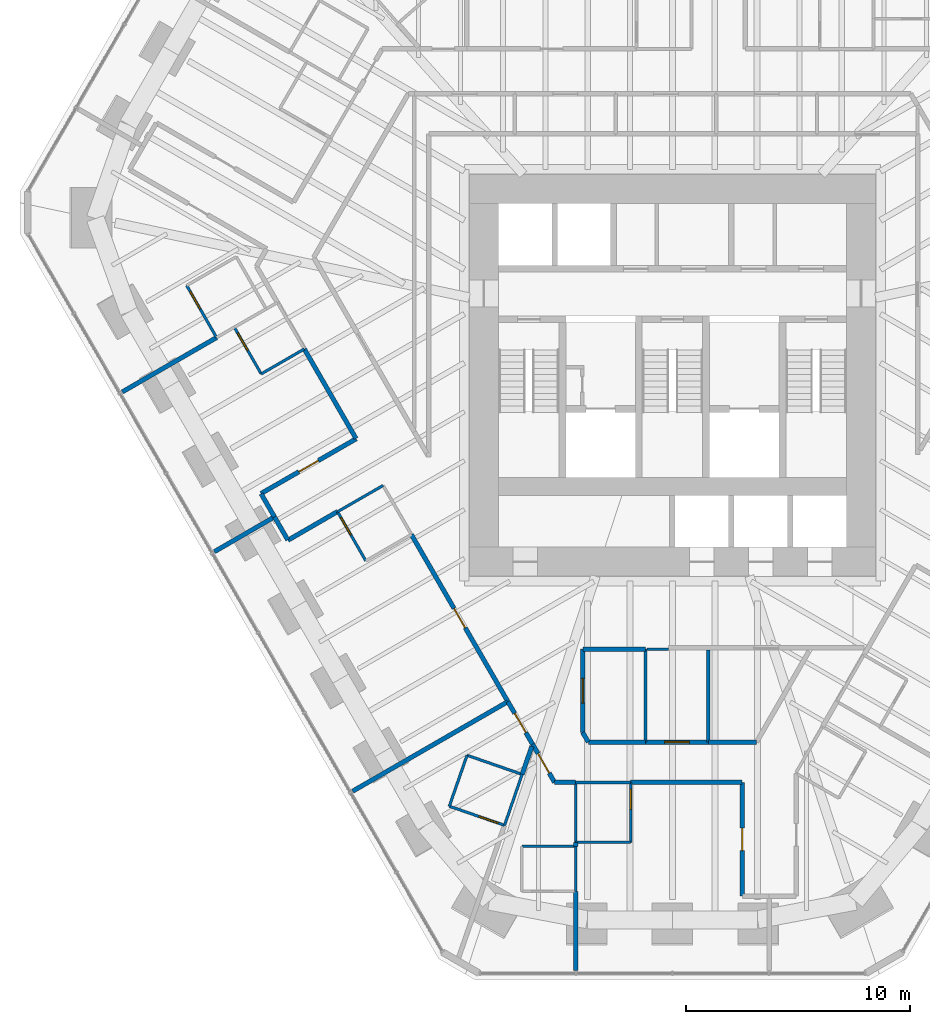
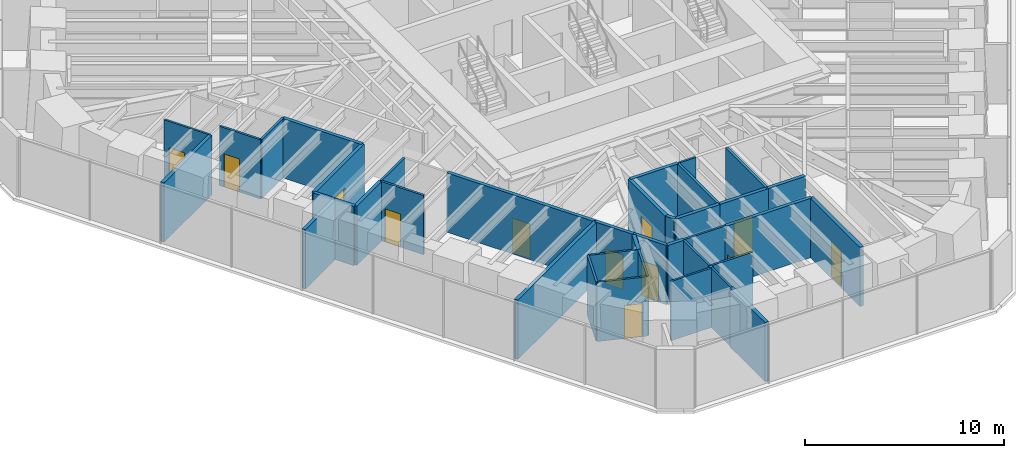
# One storey, part 11 of 17: 41 walls, 12 doors, 12 openings.
"""IFC4 building model written with IfcOpenShell, lengths in metres."""

import ifcopenshell
import ifcopenshell.guid

model = None  # the IFC model being written
_history = None  # IfcOwnerHistory: only IFC2X3 demands one
_inside = {}  # id of a spatial element -> (the spatial element, [elements in it])
_under = {}  # id of a project, library or spatial element -> (it, [spatial elements below it])
_declared = {}  # id of a project -> (the project, [libraries it declares])
_typed = {}  # id of a type object -> (the type object, [elements of that type])
_made_of = {}  # id of a material, layer set ... -> (it, [elements and type objects made of it])


def new_model(schema):
    """Start an empty IFC model of exactly this schema.

    Asked for "IFC4X3", IfcOpenShell would pick the latest addendum, in which some entities
    have other attributes; the version numbers below select the first issue.
    IFC2X3 requires an IfcOwnerHistory on every rooted entity: one is made here for all.
    """
    global model, _history
    if schema == "IFC4X3":
        model = ifcopenshell.file(schema_version=(4, 3, 0, 0))
    else:
        model = ifcopenshell.file(schema=schema)
    _inside.clear()
    _under.clear()
    _declared.clear()
    _typed.clear()
    _made_of.clear()
    _history = None
    if model.schema == "IFC2X3":
        org = make("IfcOrganization", Name="unknown")
        user = make(
            "IfcPersonAndOrganization",
            ThePerson=make("IfcPerson", FamilyName="unknown"),
            TheOrganization=org,
        )
        app = make(
            "IfcApplication",
            ApplicationDeveloper=org,
            Version="unknown",
            ApplicationFullName="unknown",
            ApplicationIdentifier="unknown",
        )
        _history = make(
            "IfcOwnerHistory",
            OwningUser=user,
            OwningApplication=app,
            ChangeAction="ADDED",
            CreationDate=0,
        )
    return model


def make(cls, **values):
    """One entity of the class cls with the attributes given. An attribute that is None is left unset."""
    return model.create_entity(
        cls, **{name: value for name, value in values.items() if value is not None}
    )


def rooted(cls, **values):
    """An entity with a GlobalId (a new one), such as an element, a storey or a relation."""
    return make(cls, GlobalId=ifcopenshell.guid.new(), OwnerHistory=_history, **values)


def si_unit(unit_type, name, prefix=None):
    """IfcSIUnit, for example si_unit("LENGTHUNIT", "METRE", prefix="MILLI")."""
    return make("IfcSIUnit", UnitType=unit_type, Prefix=prefix, Name=name)


def assignment(units):
    """IfcUnitAssignment: the units of a project."""
    return None if units is None else make("IfcUnitAssignment", Units=units)


def point(xyz):
    """IfcCartesianPoint."""
    return None if xyz is None else make("IfcCartesianPoint", Coordinates=xyz)


def direction(xyz):
    """IfcDirection."""
    return None if xyz is None else make("IfcDirection", DirectionRatios=xyz)


def frame(location, z_axis=None, x_axis=None):
    """IfcAxis2Placement3D, a coordinate frame: its origin and axes. An axis left out is left unset."""
    return make(
        "IfcAxis2Placement3D",
        Location=point(location),
        Axis=direction(z_axis),
        RefDirection=direction(x_axis),
    )


def frame_2d(location, x_axis=None):
    """IfcAxis2Placement2D, a coordinate frame in the plane: its origin and x axis."""
    return make(
        "IfcAxis2Placement2D", Location=point(location), RefDirection=direction(x_axis)
    )


def origin():
    """The frame at (0, 0, 0) with its axes left unset."""
    return frame((0.0, 0.0, 0.0))


def place(relative_to, where):
    """IfcLocalPlacement: puts the frame where relative to a parent placement (None: the world)."""
    return make(
        "IfcLocalPlacement", PlacementRelTo=relative_to, RelativePlacement=where
    )


def context(
    kind, dimensions, precision=None, world=None, true_north=None, identifier=None
):
    """IfcGeometricRepresentationContext, for example the 3D "Model" context."""
    return make(
        "IfcGeometricRepresentationContext",
        ContextIdentifier=identifier,
        ContextType=kind,
        CoordinateSpaceDimension=dimensions,
        Precision=precision,
        WorldCoordinateSystem=world,
        TrueNorth=true_north,
    )


def subcontext(parent, identifier, kind, view, scale=None):
    """IfcGeometricRepresentationSubContext, for example "Body" below "Model"."""
    return make(
        "IfcGeometricRepresentationSubContext",
        ContextIdentifier=identifier,
        ContextType=kind,
        ParentContext=parent,
        TargetScale=scale,
        TargetView=view,
    )


def project(units=None, contexts=None):
    """IfcProject with its units and contexts."""
    return rooted(
        "IfcProject",
        Name="project",
        RepresentationContexts=contexts,
        UnitsInContext=assignment(units),
    )


def spatial(cls, under=None, at=None, **own):
    """A site, building, storey or space (cls), placed at a placement, below another one or the project."""
    s = rooted(cls, ObjectPlacement=at, **own)
    if under is not None:
        _under.setdefault(under.id(), (under, []))[1].append(s)
    return s


def profile(cls, at=None, kind="AREA", **sizes):
    """A parametric profile (cls). Its sizes go by their IFC names, for example OverallWidth=200.0."""
    return make(cls, ProfileType=kind, Position=at, **sizes)


def rectangle(**sizes):
    """IfcRectangleProfileDef."""
    return profile("IfcRectangleProfileDef", **sizes)


def extrude(swept, where, along, depth):
    """IfcExtrudedAreaSolid: the profile swept, set in the frame where, extruded along a direction by depth."""
    return make(
        "IfcExtrudedAreaSolid",
        SweptArea=swept,
        Position=where,
        ExtrudedDirection=direction(along),
        Depth=depth,
    )


def shape(context_of_items, identifier, shape_type, items):
    """IfcShapeRepresentation: the items that make up one representation, for example the "Body"."""
    return make(
        "IfcShapeRepresentation",
        ContextOfItems=context_of_items,
        RepresentationIdentifier=identifier,
        RepresentationType=shape_type,
        Items=items,
    )


def material(Name=None, Category=None):
    """IfcMaterial."""
    return make("IfcMaterial", Name=Name, Category=Category)


def layer(
    of_material, thickness, ventilated=None, Name=None, Category=None, Priority=None
):
    """IfcMaterialLayer: one layer of a wall or slab, of a material (None: an air gap)."""
    return make(
        "IfcMaterialLayer",
        Material=of_material,
        LayerThickness=thickness,
        IsVentilated=ventilated,
        Name=Name,
        Category=Category,
        Priority=Priority,
    )


def layer_set(layers, Name=None):
    """IfcMaterialLayerSet."""
    return make("IfcMaterialLayerSet", MaterialLayers=layers, LayerSetName=Name)


def made_of(thing, what):
    """Note that an element or type object is made of a material, layer set ...; save() writes the relation."""
    if what is not None:
        _made_of.setdefault(what.id(), (what, []))[1].append(thing)
    return thing


def type_object(cls, material=None, **own):
    """A type object (cls), such as IfcWallType, which elements share."""
    return made_of(rooted(cls, **own), material)


def element(
    cls,
    number,
    at=None,
    inside=None,
    cuts=None,
    type_object=None,
    material=None,
    context=None,
    identifier="Body",
    shape_type=None,
    held_by="IfcProductDefinitionShape",
    body=None,
    shapes=None,
    **own,
):
    """One element of the class cls, such as IfcWall. Its Tag is "e" and its number.

    at: its placement. inside: the storey or other place that contains it. cuts: it is an
    opening in that element (IfcRelVoidsElement). A single representation is given by context,
    identifier, shape_type and body (its items); several are given by shapes. held_by: the class
    of the entity that holds the representations. save() writes the other relations.
    """
    e = rooted(cls, Tag="e%d" % number, ObjectPlacement=at, **own)
    if body is not None:
        shapes = [shape(context, identifier, shape_type, body)]
    if shapes is not None:
        e.Representation = make(held_by, Representations=shapes)
    if inside is not None:
        _inside.setdefault(inside.id(), (inside, []))[1].append(e)
    if cuts is not None:
        rooted(
            "IfcRelVoidsElement", RelatingBuildingElement=cuts, RelatedOpeningElement=e
        )
    if type_object is not None:
        _typed.setdefault(type_object.id(), (type_object, []))[1].append(e)
    return made_of(e, material)


def fill(opening, filler):
    """IfcRelFillsElement: the door or window that sits in an opening."""
    return rooted(
        "IfcRelFillsElement",
        RelatingOpeningElement=opening,
        RelatedBuildingElement=filler,
    )


def aggregate(whole, parts):
    """IfcRelAggregates: a whole, such as a stair, and the parts it consists of."""
    return rooted("IfcRelAggregates", RelatingObject=whole, RelatedObjects=parts)


def save(model, path):
    """Write the relations noted so far, then the file.

    IfcRelAggregates (storeys below a building ...), IfcRelContainedInSpatialStructure (elements
    in a storey), IfcRelDefinesByType, IfcRelAssociatesMaterial and IfcRelDeclares: one each for
    every whole, place, type object, material and project.
    """
    for whole, parts in _under.values():
        aggregate(whole, parts)
    for where, things in _inside.values():
        rooted(
            "IfcRelContainedInSpatialStructure",
            RelatedElements=things,
            RelatingStructure=where,
        )
    for kind, things in _typed.values():
        rooted("IfcRelDefinesByType", RelatedObjects=things, RelatingType=kind)
    for what, things in _made_of.values():
        rooted("IfcRelAssociatesMaterial", RelatedObjects=things, RelatingMaterial=what)
    for by, libraries in _declared.values():
        rooted("IfcRelDeclares", RelatingContext=by, RelatedDefinitions=libraries)
    model.write(path)


model = new_model("IFC4")

# Units and contexts
model_context = context("Model", 3, precision=1e-05, world=origin(), true_north=direction((0.0, 1.0)))
body_context = subcontext(model_context, "Body", "Model", "MODEL_VIEW")
ifc_project = project(units=[si_unit("LENGTHUNIT", "METRE"), si_unit("AREAUNIT", "SQUARE_METRE"), si_unit("VOLUMEUNIT", "CUBIC_METRE"), si_unit("PLANEANGLEUNIT", "RADIAN"), si_unit("MASSUNIT", "GRAM", prefix="KILO")], contexts=[model_context])

# Site, building, storey
site_placement = place(None, origin())
site = spatial("IfcSite", under=ifc_project, at=site_placement, CompositionType="ELEMENT")
building_placement = place(site_placement, origin())
building = spatial("IfcBuilding", under=site, at=building_placement, Name="Sandreach Pilgrim Tower", CompositionType="ELEMENT")
storey_placement = place(building_placement, frame((0.0, 0.0, 165.199951171875)))
storey = spatial("IfcBuildingStorey", under=building, at=storey_placement, Name="L41", CompositionType="ELEMENT", Elevation=165.199951171875)

# Walls
ifc_material_1 = material(Name="Gypsum board on steel studs", Category="steel")
ifc_layer_1 = layer(ifc_material_1, 0.14990234375)
ifc_layer_set_1 = layer_set([ifc_layer_1], Name="Back of house wall 150")
wall_type_1 = type_object("IfcWallType", Name="Back of house wall 150", PredefinedType="PARTITIONING", material=ifc_layer_set_1)
wall_1_placement = place(storey_placement, frame((-1.199951171875, -13.75, 0.0), z_axis=(0.0, 0.0, 1.0), x_axis=(0.0, -1.0, 0.0)))
element("IfcWall", 1, at=wall_1_placement, inside=storey, type_object=wall_type_1, Name="Back of house wall L41-090", PredefinedType="PARTITIONING", context=body_context, shape_type="SweptSolid", body=[
    extrude(rectangle(XDim=4.139892578125, YDim=0.14990234375, at=frame_2d((2.06982421875, 0.0))), origin(), (0.0, 0.0, 1.0), 3.64013671875),
])
wall_2_placement = place(storey_placement, frame((1.60009765625, -13.800048828125, 0.0), z_axis=(0.0, 0.0, 1.0), x_axis=(0.0, -1.0, 0.0)))
element("IfcWall", 2, at=wall_2_placement, inside=storey, type_object=wall_type_1, Name="Back of house wall L41-097", PredefinedType="PARTITIONING", context=body_context, shape_type="SweptSolid", body=[
    extrude(rectangle(XDim=4.08984375, YDim=0.14990234375, at=frame_2d((2.044921875, 0.0))), origin(), (0.0, 0.0, 1.0), 3.64013671875),
])

# Wall, opening, door
ifc_material_2 = material(Name="Moisture-resistant gypsum board on steel studs", Category="steel")
ifc_layer_2 = layer(ifc_material_2, 0.1201171875)
ifc_layer_set_2 = layer_set([ifc_layer_2], Name="Bathroom partition 120")
wall_type_2 = type_object("IfcWallType", Name="Bathroom partition 120", PredefinedType="PARTITIONING", material=ifc_layer_set_2)
wall_3_placement = place(storey_placement, frame((-21.639892578125, 2.449951171875, 0.0), z_axis=(0.0, 0.0, 1.0), x_axis=(0.497288831399, -0.867585049529, 0.0)))
wall_3 = element("IfcWall", 3, at=wall_3_placement, inside=storey, type_object=wall_type_2, Name="Bathroom partition L41-007", PredefinedType="PARTITIONING", context=body_context, shape_type="SweptSolid", body=[
    extrude(rectangle(XDim=2.674072265625, YDim=0.1201171875, at=frame_2d((1.3369140625, 0.0))), origin(), (0.0, 0.0, 1.0), 3.64013671875),
])
opening_1_placement = place(wall_3_placement, frame((0.300048828125, 0.0, 0.0)))
opening_1 = element("IfcOpeningElement", 4, at=opening_1_placement, cuts=wall_3, Name="Opening D09-16B", PredefinedType="OPENING", context=body_context, shape_type="SweptSolid", body=[
    extrude(rectangle(XDim=0.89990234375, YDim=2.030029296875, at=frame_2d((0.449951171875, 1.01513671875))), frame((0.0, 0.06005859375, 0.0), z_axis=(0.0, -1.0, 0.0), x_axis=(1.0, 0.0, 0.0)), (0.0, 0.0, 1.0), 0.1201171875),
])
ifc_material_3 = material(Name="Timber door, steel frame", Category="steel")
door_type_1 = type_object("IfcDoorType", Name="Bathroom door", OperationType="SINGLE_SWING_LEFT", PredefinedType="DOOR", material=ifc_material_3)
door_1_placement = place(opening_1_placement, origin())
door_1 = element("IfcDoor", 5, at=door_1_placement, inside=storey, type_object=door_type_1, Name="Door 4116B", OperationType="SINGLE_SWING_LEFT", OverallHeight=2.030029296875, OverallWidth=0.89990234375, PredefinedType="DOOR", context=body_context, shape_type="SweptSolid", body=[
    extrude(rectangle(XDim=0.89990234375, YDim=2.030029296875, at=frame_2d((0.449951171875, 1.01513671875))), frame((0.0, 0.02490234375, 0.0), z_axis=(0.0, -1.0, 0.0), x_axis=(1.0, 0.0, 0.0)), (0.0, 0.0, 1.0), 0.050048828125),
])
fill(opening_1, door_1)

wall_4_placement = place(storey_placement, frame((-19.52001953125, 0.590087890625, 0.0), z_axis=(0.0, 0.0, 1.0), x_axis=(0.499693115345, -0.866202511239, 0.0)))
wall_4 = element("IfcWall", 6, at=wall_4_placement, inside=storey, type_object=wall_type_2, Name="Bathroom partition L41-010", PredefinedType="PARTITIONING", context=body_context, shape_type="SweptSolid", body=[
    extrude(rectangle(XDim=2.4013671875, YDim=0.1201171875, at=frame_2d((1.20068359375, 0.0))), origin(), (0.0, 0.0, 1.0), 3.64013671875),
])
opening_2_placement = place(wall_4_placement, frame((0.300048828125, 0.0, 0.0)))
opening_2 = element("IfcOpeningElement", 7, at=opening_2_placement, cuts=wall_4, Name="Opening D09-15B", PredefinedType="OPENING", context=body_context, shape_type="SweptSolid", body=[
    extrude(rectangle(XDim=0.89990234375, YDim=2.030029296875, at=frame_2d((0.449951171875, 1.01513671875))), frame((0.0, 0.06005859375, 0.0), z_axis=(0.0, -1.0, 0.0), x_axis=(1.0, 0.0, 0.0)), (0.0, 0.0, 1.0), 0.1201171875),
])
door_2_placement = place(opening_2_placement, origin())
door_2 = element("IfcDoor", 8, at=door_2_placement, inside=storey, type_object=door_type_1, Name="Door 4115B", OperationType="SINGLE_SWING_LEFT", OverallHeight=2.030029296875, OverallWidth=0.89990234375, PredefinedType="DOOR", context=body_context, shape_type="SweptSolid", body=[
    extrude(rectangle(XDim=0.89990234375, YDim=2.030029296875, at=frame_2d((0.449951171875, 1.01513671875))), frame((0.0, 0.02490234375, 0.0), z_axis=(0.0, -1.0, 0.0), x_axis=(1.0, 0.0, 0.0)), (0.0, 0.0, 1.0), 0.050048828125),
])
fill(opening_2, door_2)

# Wall
wall_5_placement = place(storey_placement, frame((-18.320068359375, -1.489990234375, 0.0), z_axis=(0.0, 0.0, 1.0), x_axis=(0.865732595383, 0.500506816428, 0.0)))
element("IfcWall", 9, at=wall_5_placement, inside=storey, type_object=wall_type_2, Name="Bathroom partition L41-016", PredefinedType="PARTITIONING", context=body_context, shape_type="SweptSolid", body=[
    extrude(rectangle(XDim=2.218017578125, YDim=0.1201171875, at=frame_2d((1.10888671875, 0.0))), origin(), (0.0, 0.0, 1.0), 3.64013671875),
])

# Wall, opening, door
wall_6_placement = place(storey_placement, frame((-14.919921875, -7.6298828125, 0.0), z_axis=(0.0, 0.0, 1.0), x_axis=(0.498665353881, -0.866794592068, 0.0)))
wall_6 = element("IfcWall", 10, at=wall_6_placement, inside=storey, type_object=wall_type_2, Name="Bathroom partition L41-033", PredefinedType="PARTITIONING", context=body_context, shape_type="SweptSolid", body=[
    extrude(rectangle(XDim=2.52685546875, YDim=0.1201171875, at=frame_2d((1.263427734375, 0.0))), origin(), (0.0, 0.0, 1.0), 3.64013671875),
])
opening_3_placement = place(wall_6_placement, frame((0.300048828125, 0.0, 0.0)))
opening_3 = element("IfcOpeningElement", 11, at=opening_3_placement, cuts=wall_6, Name="Opening D09-14B", PredefinedType="OPENING", context=body_context, shape_type="SweptSolid", body=[
    extrude(rectangle(XDim=0.89990234375, YDim=2.030029296875, at=frame_2d((0.449951171875, 1.01513671875))), frame((0.0, 0.06005859375, 0.0), z_axis=(0.0, -1.0, 0.0), x_axis=(1.0, 0.0, 0.0)), (0.0, 0.0, 1.0), 0.1201171875),
])
door_3_placement = place(opening_3_placement, origin())
door_3 = element("IfcDoor", 12, at=door_3_placement, inside=storey, type_object=door_type_1, Name="Door 4114B", OperationType="SINGLE_SWING_LEFT", OverallHeight=2.030029296875, OverallWidth=0.89990234375, PredefinedType="DOOR", context=body_context, shape_type="SweptSolid", body=[
    extrude(rectangle(XDim=0.89990234375, YDim=2.030029296875, at=frame_2d((0.449951171875, 1.01513671875))), frame((0.0, 0.02490234375, 0.0), z_axis=(0.0, -1.0, 0.0), x_axis=(1.0, 0.0, 0.0)), (0.0, 0.0, 1.0), 0.050048828125),
])
fill(opening_3, door_3)

# Wall
wall_7_placement = place(storey_placement, frame((-14.919921875, -7.6298828125, 0.0), z_axis=(0.0, 0.0, 1.0), x_axis=(0.866390229467, 0.499367570316, 0.0)))
element("IfcWall", 13, at=wall_7_placement, inside=storey, type_object=wall_type_2, Name="Bathroom partition L41-034", PredefinedType="PARTITIONING", context=body_context, shape_type="SweptSolid", body=[
    extrude(rectangle(XDim=2.3427734375, YDim=0.1201171875, at=frame_2d((1.17138671875, 0.0))), origin(), (0.0, 0.0, 1.0), 3.64013671875),
])

# Wall, opening, door
wall_8_placement = place(storey_placement, frame((-9.93994140625, -20.75, 0.0), z_axis=(0.0, 0.0, 1.0), x_axis=(0.94515546045, -0.326620813149, 0.0)))
wall_8 = element("IfcWall", 14, at=wall_8_placement, inside=storey, type_object=wall_type_2, Name="Bathroom partition L41-056", PredefinedType="PARTITIONING", context=body_context, shape_type="SweptSolid", body=[
    extrude(rectangle(XDim=2.602783203125, YDim=0.1201171875, at=frame_2d((1.30126953125, 0.0))), origin(), (0.0, 0.0, 1.0), 3.64013671875),
])
opening_4_placement = place(wall_8_placement, frame((1.402587890625, 0.0, 0.0)))
opening_4 = element("IfcOpeningElement", 15, at=opening_4_placement, cuts=wall_8, Name="Opening D09-13B", PredefinedType="OPENING", context=body_context, shape_type="SweptSolid", body=[
    extrude(rectangle(XDim=0.89990234375, YDim=2.030029296875, at=frame_2d((0.449951171875, 1.01513671875))), frame((0.0, 0.06005859375, 0.0), z_axis=(0.0, -1.0, 0.0), x_axis=(1.0, 0.0, 0.0)), (0.0, 0.0, 1.0), 0.1201171875),
])
door_4_placement = place(opening_4_placement, origin())
door_4 = element("IfcDoor", 16, at=door_4_placement, inside=storey, type_object=door_type_1, Name="Door 4113B", OperationType="SINGLE_SWING_RIGHT", OverallHeight=2.030029296875, OverallWidth=0.89990234375, PredefinedType="DOOR", context=body_context, shape_type="SweptSolid", body=[
    extrude(rectangle(XDim=0.89990234375, YDim=2.030029296875, at=frame_2d((0.449951171875, 1.01513671875))), frame((0.0, 0.02490234375, 0.0), z_axis=(0.0, -1.0, 0.0), x_axis=(1.0, 0.0, 0.0)), (0.0, 0.0, 1.0), 0.050048828125),
])
fill(opening_4, door_4)

# Walls
wall_9_placement = place(storey_placement, frame((-9.14990234375, -18.47998046875, 0.0), z_axis=(0.0, 0.0, 1.0), x_axis=(-0.328693963496, -0.944436487203, 0.0)))
element("IfcWall", 17, at=wall_9_placement, inside=storey, type_object=wall_type_2, Name="Bathroom partition L41-060", PredefinedType="PARTITIONING", context=body_context, shape_type="SweptSolid", body=[
    extrude(rectangle(XDim=2.403564453125, YDim=0.1201171875, at=frame_2d((1.20166015625, 0.0))), origin(), (0.0, 0.0, 1.0), 3.64013671875),
])
wall_10_placement = place(storey_placement, frame((-7.47998046875, -21.60009765625, 0.0), z_axis=(0.0, 0.0, 1.0), x_axis=(0.326492166492, 0.945199907543, 0.0)))
element("IfcWall", 18, at=wall_10_placement, inside=storey, type_object=wall_type_2, Name="Bathroom partition L41-061", PredefinedType="PARTITIONING", context=body_context, shape_type="SweptSolid", body=[
    extrude(rectangle(XDim=2.400390625, YDim=0.1201171875, at=frame_2d((1.2001953125, 0.0))), origin(), (0.0, 0.0, 1.0), 3.64013671875),
])
wall_11_placement = place(storey_placement, frame((-6.699951171875, -19.330078125, 0.0), z_axis=(0.0, 0.0, 1.0), x_axis=(-0.944753042377, 0.327782990589, 0.0)))
element("IfcWall", 19, at=wall_11_placement, inside=storey, type_object=wall_type_2, Name="Bathroom partition L41-068", PredefinedType="PARTITIONING", context=body_context, shape_type="SweptSolid", body=[
    extrude(rectangle(XDim=2.593505859375, YDim=0.1201171875, at=frame_2d((1.296875, 0.0))), origin(), (0.0, 0.0, 1.0), 3.64013671875),
])
wall_12_placement = place(storey_placement, frame((-4.31005859375, -24.5400390625, 0.0), z_axis=(0.0, 0.0, 1.0), x_axis=(0.0, 1.0, 0.0)))
element("IfcWall", 20, at=wall_12_placement, inside=storey, type_object=wall_type_2, Name="Bathroom partition L41-073", PredefinedType="PARTITIONING", context=body_context, shape_type="SweptSolid", body=[
    extrude(rectangle(XDim=2.0, YDim=0.1201171875, at=frame_2d((1.0, 0.0))), origin(), (0.0, 0.0, 1.0), 3.64013671875),
])
wall_13_placement = place(storey_placement, frame((-4.31005859375, -22.5400390625, 0.0), z_axis=(0.0, 0.0, 1.0), x_axis=(-1.0, 0.0, 0.0)))
element("IfcWall", 21, at=wall_13_placement, inside=storey, type_object=wall_type_2, Name="Bathroom partition L41-074", PredefinedType="PARTITIONING", context=body_context, shape_type="SweptSolid", body=[
    extrude(rectangle(XDim=2.39990234375, YDim=0.1201171875, at=frame_2d((1.199951171875, 0.0))), origin(), (0.0, 0.0, 1.0), 3.64013671875),
])
wall_14_placement = place(storey_placement, frame((-4.31005859375, -22.360107421875, 0.0), z_axis=(0.0, 0.0, 1.0), x_axis=(0.0, 1.0, 0.0)))
element("IfcWall", 22, at=wall_14_placement, inside=storey, type_object=wall_type_2, Name="Bathroom partition L41-076", PredefinedType="PARTITIONING", context=body_context, shape_type="SweptSolid", body=[
    extrude(rectangle(XDim=2.670166015625, YDim=0.1201171875, at=frame_2d((1.3349609375, 0.0))), origin(), (0.0, 0.0, 1.0), 3.64013671875),
])
for number, where, z_axis, x_axis, name in (
    (23, (-4.31005859375, -22.360107421875, 0.0), (0.0, 0.0, 1.0), (1.0, 0.0, 0.0), "Bathroom partition L41-077"),
    (24, (-4.31005859375, -19.68994140625, 0.0), (0.0, 0.0, 1.0), (1.0, 0.0, 0.0), "Bathroom partition L41-078"),
):
    element("IfcWall", number, at=place(storey_placement, frame(where, z_axis=z_axis, x_axis=x_axis)), inside=storey, type_object=wall_type_2, Name=name, PredefinedType="PARTITIONING", context=body_context, shape_type="SweptSolid", body=[
        extrude(rectangle(XDim=2.449951171875, YDim=0.1201171875, at=frame_2d((1.22509765625, 0.0))), origin(), (0.0, 0.0, 1.0), 3.64013671875),
    ])

# Wall, opening, door
wall_15_placement = place(storey_placement, frame((-1.860107421875, -22.360107421875, 0.0), z_axis=(0.0, 0.0, 1.0), x_axis=(0.0, 1.0, 0.0)))
wall_15 = element("IfcWall", 25, at=wall_15_placement, inside=storey, type_object=wall_type_2, Name="Bathroom partition L41-085", PredefinedType="PARTITIONING", context=body_context, shape_type="SweptSolid", body=[
    extrude(rectangle(XDim=2.670166015625, YDim=0.1201171875, at=frame_2d((1.3349609375, 0.0))), origin(), (0.0, 0.0, 1.0), 2.8603515625),
])
opening_5_placement = place(wall_15_placement, frame((1.469970703125, 0.0, 0.0)))
opening_5 = element("IfcOpeningElement", 26, at=opening_5_placement, cuts=wall_15, Name="Opening D09-11B", PredefinedType="OPENING", context=body_context, shape_type="SweptSolid", body=[
    extrude(rectangle(XDim=0.89990234375, YDim=2.030029296875, at=frame_2d((0.449951171875, 1.01513671875))), frame((0.0, 0.06005859375, 0.0), z_axis=(0.0, -1.0, 0.0), x_axis=(1.0, 0.0, 0.0)), (0.0, 0.0, 1.0), 0.1201171875),
])
door_5_placement = place(opening_5_placement, origin())
door_5 = element("IfcDoor", 27, at=door_5_placement, inside=storey, type_object=door_type_1, Name="Door 4111B", OperationType="SINGLE_SWING_RIGHT", OverallHeight=2.030029296875, OverallWidth=0.89990234375, PredefinedType="DOOR", context=body_context, shape_type="SweptSolid", body=[
    extrude(rectangle(XDim=0.89990234375, YDim=2.030029296875, at=frame_2d((0.449951171875, 1.01513671875))), frame((0.0, 0.02490234375, 0.0), z_axis=(0.0, -1.0, 0.0), x_axis=(1.0, 0.0, 0.0)), (0.0, 0.0, 1.0), 0.050048828125),
])
fill(opening_5, door_5)

# Walls
wall_16_placement = place(storey_placement, frame((-1.125, -13.75, 0.0), z_axis=(0.0, 0.0, 1.0), x_axis=(1.0, 0.0, 0.0)))
element("IfcWall", 28, at=wall_16_placement, inside=storey, type_object=wall_type_2, Name="Bathroom partition L41-091", PredefinedType="PARTITIONING", context=body_context, shape_type="SweptSolid", body=[
    extrude(rectangle(XDim=0.955078125, YDim=0.1201171875, at=frame_2d((0.4775390625, 0.0))), origin(), (0.0, 0.0, 1.0), 3.64013671875),
])
ifc_material_4 = material(Name="Gypsum board on steel studs, two layers each side", Category="steel")
ifc_layer_3 = layer(ifc_material_4, 0.199951171875)
ifc_layer_set_3 = layer_set([ifc_layer_3], Name="Corridor wall 200")
wall_type_3 = type_object("IfcWallType", Name="Corridor wall 200", PredefinedType="PARTITIONING", material=ifc_layer_set_3)
wall_17_placement = place(storey_placement, frame((-18.322509765625, -6.8330078125, 0.0), z_axis=(0.0, 0.0, 1.0), x_axis=(0.499704629046, -0.866195869137, 0.0)))
element("IfcWall", 29, at=wall_17_placement, inside=storey, type_object=wall_type_3, Name="Corridor wall L41-015", PredefinedType="PARTITIONING", context=body_context, shape_type="SweptSolid", body=[
    extrude(rectangle(XDim=1.185791015625, YDim=0.199951171875, at=frame_2d((0.5927734375, 0.0))), origin(), (0.0, 0.0, 1.0), 3.64013671875),
])
wall_18_placement = place(storey_placement, frame((-17.72998046875, -7.860107421875, 0.0), z_axis=(0.0, 0.0, 1.0), x_axis=(0.499793761865, -0.866144442689, 0.0)))
element("IfcWall", 30, at=wall_18_placement, inside=storey, type_object=wall_type_3, Name="Corridor wall L41-020", PredefinedType="PARTITIONING", context=body_context, shape_type="SweptSolid", body=[
    extrude(rectangle(XDim=1.185546875, YDim=0.199951171875, at=frame_2d((0.5927734375, 0.0))), origin(), (0.0, 0.0, 1.0), 3.64013671875),
])
wall_19_placement = place(storey_placement, frame((-17.1298828125, -8.89990234375, 0.0), z_axis=(0.0, 0.0, 1.0), x_axis=(0.865738722232, 0.500496218595, 0.0)))
element("IfcWall", 31, at=wall_19_placement, inside=storey, type_object=wall_type_3, Name="Corridor wall L41-023", PredefinedType="PARTITIONING", context=body_context, shape_type="SweptSolid", body=[
    extrude(rectangle(XDim=2.548828125, YDim=0.199951171875, at=frame_2d((1.2744140625, 0.0))), origin(), (0.0, 0.0, 1.0), 3.64013671875),
])
wall_20_placement = place(storey_placement, frame((-16.39990234375, -0.3798828125, 0.0), z_axis=(0.0, 0.0, 1.0), x_axis=(0.500091179446, -0.865972754907, 0.0)))
element("IfcWall", 32, at=wall_20_placement, inside=storey, type_object=wall_type_3, Name="Corridor wall L41-027", PredefinedType="PARTITIONING", context=body_context, shape_type="SweptSolid", body=[
    extrude(rectangle(XDim=4.604248046875, YDim=0.199951171875, at=frame_2d((2.30224609375, 0.0))), origin(), (0.0, 0.0, 1.0), 3.64013671875),
])

# Wall, opening, door
wall_21_placement = place(storey_placement, frame((-14.090087890625, -4.3798828125, 0.0), z_axis=(0.0, 0.0, 1.0), x_axis=(-0.866712686014, -0.498807698319, 0.0)))
wall_21 = element("IfcWall", 33, at=wall_21_placement, inside=storey, type_object=wall_type_3, Name="Corridor wall L41-038", PredefinedType="PARTITIONING", context=body_context, shape_type="SweptSolid", body=[
    extrude(rectangle(XDim=4.89208984375, YDim=0.199951171875, at=frame_2d((2.446044921875, 0.0))), origin(), (0.0, 0.0, 1.0), 3.64013671875),
])
opening_6_placement = place(wall_21_placement, frame((1.946044921875, 0.0, 0.0)))
opening_6 = element("IfcOpeningElement", 34, at=opening_6_placement, cuts=wall_21, Name="Opening D10-15", PredefinedType="OPENING", context=body_context, shape_type="SweptSolid", body=[
    extrude(rectangle(XDim=1.0, YDim=2.1298828125, at=frame_2d((0.5, 1.06494140625))), frame((0.0, 0.10009765625, 0.0), z_axis=(0.0, -1.0, 0.0), x_axis=(1.0, 0.0, 0.0)), (0.0, 0.0, 1.0), 0.199951171875),
])
ifc_material_5 = material(Name="Steel door and frame", Category="steel")
door_type_2 = type_object("IfcDoorType", Name="Guest room entry door", OperationType="SINGLE_SWING_LEFT", PredefinedType="DOOR", material=ifc_material_5)
door_6_placement = place(opening_6_placement, origin())
door_6 = element("IfcDoor", 35, at=door_6_placement, inside=storey, type_object=door_type_2, Name="Door 4115", OperationType="SINGLE_SWING_LEFT", OverallHeight=2.1298828125, OverallWidth=1.0, PredefinedType="DOOR", context=body_context, shape_type="SweptSolid", body=[
    extrude(rectangle(XDim=1.0, YDim=2.1298828125, at=frame_2d((0.5, 1.06494140625))), frame((0.0, 0.02490234375, 0.0), z_axis=(0.0, -1.0, 0.0), x_axis=(1.0, 0.0, 0.0)), (0.0, 0.0, 1.0), 0.050048828125),
])
fill(opening_6, door_6)

wall_22_placement = place(storey_placement, frame((-11.6298828125, -8.64990234375, 0.0), z_axis=(0.0, 0.0, 1.0), x_axis=(0.500367528775, -0.865813106939, 0.0)))
wall_22 = element("IfcWall", 36, at=wall_22_placement, inside=storey, type_object=wall_type_3, Name="Corridor wall L41-048", PredefinedType="PARTITIONING", context=body_context, shape_type="SweptSolid", body=[
    extrude(rectangle(XDim=8.59326171875, YDim=0.199951171875, at=frame_2d((4.296630859375, 0.0))), origin(), (0.0, 0.0, 1.0), 3.64013671875),
])
opening_7_placement = place(wall_22_placement, frame((3.796630859375, 0.0, 0.0)))
opening_7 = element("IfcOpeningElement", 37, at=opening_7_placement, cuts=wall_22, Name="Opening D10-14", PredefinedType="OPENING", context=body_context, shape_type="SweptSolid", body=[
    extrude(rectangle(XDim=1.0, YDim=2.1298828125, at=frame_2d((0.5, 1.06494140625))), frame((0.0, 0.10009765625, 0.0), z_axis=(0.0, -1.0, 0.0), x_axis=(1.0, 0.0, 0.0)), (0.0, 0.0, 1.0), 0.199951171875),
])
door_7_placement = place(opening_7_placement, origin())
door_7 = element("IfcDoor", 38, at=door_7_placement, inside=storey, type_object=door_type_2, Name="Door 4114", OperationType="SINGLE_SWING_LEFT", OverallHeight=2.1298828125, OverallWidth=1.0, PredefinedType="DOOR", context=body_context, shape_type="SweptSolid", body=[
    extrude(rectangle(XDim=1.0, YDim=2.1298828125, at=frame_2d((0.5, 1.06494140625))), frame((0.0, 0.02490234375, 0.0), z_axis=(0.0, -1.0, 0.0), x_axis=(1.0, 0.0, 0.0)), (0.0, 0.0, 1.0), 0.050048828125),
])
fill(opening_7, door_7)

wall_23_placement = place(storey_placement, frame((-7.330078125, -16.090087890625, 0.0), z_axis=(0.0, 0.0, 1.0), x_axis=(0.501088872721, -0.865395829453, 0.0)))
wall_23 = element("IfcWall", 39, at=wall_23_placement, inside=storey, type_object=wall_type_3, Name="Corridor wall L41-062", PredefinedType="PARTITIONING", context=body_context, shape_type="SweptSolid", body=[
    extrude(rectangle(XDim=2.1953125, YDim=0.199951171875, at=frame_2d((1.09765625, 0.0))), origin(), (0.0, 0.0, 1.0), 3.64013671875),
])
opening_8_placement = place(wall_23_placement, frame((0.59765625, 0.0, 0.0)))
opening_8 = element("IfcOpeningElement", 40, at=opening_8_placement, cuts=wall_23, Name="Opening D10-13", PredefinedType="OPENING", context=body_context, shape_type="SweptSolid", body=[
    extrude(rectangle(XDim=1.0, YDim=2.1298828125, at=frame_2d((0.5, 1.06494140625))), frame((0.0, 0.10009765625, 0.0), z_axis=(0.0, -1.0, 0.0), x_axis=(1.0, 0.0, 0.0)), (0.0, 0.0, 1.0), 0.199951171875),
])
door_8_placement = place(opening_8_placement, origin())
door_8 = element("IfcDoor", 41, at=door_8_placement, inside=storey, type_object=door_type_2, Name="Door 4113", OperationType="SINGLE_SWING_LEFT", OverallHeight=2.1298828125, OverallWidth=1.0, PredefinedType="DOOR", context=body_context, shape_type="SweptSolid", body=[
    extrude(rectangle(XDim=1.0, YDim=2.1298828125, at=frame_2d((0.5, 1.06494140625))), frame((0.0, 0.02490234375, 0.0), z_axis=(0.0, -1.0, 0.0), x_axis=(1.0, 0.0, 0.0)), (0.0, 0.0, 1.0), 0.050048828125),
])
fill(opening_8, door_8)

wall_24_placement = place(storey_placement, frame((-6.22998046875, -17.989990234375, 0.0), z_axis=(0.0, 0.0, 1.0), x_axis=(0.499431599995, -0.866353321068, 0.0)))
wall_24 = element("IfcWall", 42, at=wall_24_placement, inside=storey, type_object=wall_type_3, Name="Corridor wall L41-070", PredefinedType="PARTITIONING", context=body_context, shape_type="SweptSolid", body=[
    extrude(rectangle(XDim=1.962158203125, YDim=0.199951171875, at=frame_2d((0.98095703125, 0.0))), origin(), (0.0, 0.0, 1.0), 3.64013671875),
])
opening_9_placement = place(wall_24_placement, frame((0.481201171875, 0.0, 0.0)))
opening_9 = element("IfcOpeningElement", 43, at=opening_9_placement, cuts=wall_24, Name="Opening D10-12", PredefinedType="OPENING", context=body_context, shape_type="SweptSolid", body=[
    extrude(rectangle(XDim=1.0, YDim=2.1298828125, at=frame_2d((0.5, 1.06494140625))), frame((0.0, 0.10009765625, 0.0), z_axis=(0.0, -1.0, 0.0), x_axis=(1.0, 0.0, 0.0)), (0.0, 0.0, 1.0), 0.199951171875),
])
door_9_placement = place(opening_9_placement, origin())
door_9 = element("IfcDoor", 44, at=door_9_placement, inside=storey, type_object=door_type_2, Name="Door 4112", OperationType="SINGLE_SWING_LEFT", OverallHeight=2.1298828125, OverallWidth=1.0, PredefinedType="DOOR", context=body_context, shape_type="SweptSolid", body=[
    extrude(rectangle(XDim=1.0, YDim=2.1298828125, at=frame_2d((0.5, 1.06494140625))), frame((0.0, 0.02490234375, 0.0), z_axis=(0.0, -1.0, 0.0), x_axis=(1.0, 0.0, 0.0)), (0.0, 0.0, 1.0), 0.050048828125),
])
fill(opening_9, door_9)

# Wall
wall_25_placement = place(storey_placement, frame((-5.25, -19.68994140625, 0.0), z_axis=(0.0, 0.0, 1.0), x_axis=(1.0, 0.0, 0.0)))
element("IfcWall", 45, at=wall_25_placement, inside=storey, type_object=wall_type_3, Name="Corridor wall L41-071", PredefinedType="PARTITIONING", context=body_context, shape_type="SweptSolid", body=[
    extrude(rectangle(XDim=0.93994140625, YDim=0.199951171875, at=frame_2d((0.469970703125, 0.0))), origin(), (0.0, 0.0, 1.0), 3.64013671875),
])

# Wall, opening, door
wall_26_placement = place(storey_placement, frame((-4.0, -17.4599609375, 0.0), z_axis=(0.0, 0.0, 1.0), x_axis=(0.0, 1.0, 0.0)))
wall_26 = element("IfcWall", 46, at=wall_26_placement, inside=storey, type_object=wall_type_3, Name="Corridor wall L41-079", PredefinedType="PARTITIONING", context=body_context, shape_type="SweptSolid", body=[
    extrude(rectangle(XDim=3.7099609375, YDim=0.199951171875, at=frame_2d((1.85498046875, 0.0))), origin(), (0.0, 0.0, 1.0), 3.64013671875),
])
opening_10_placement = place(wall_26_placement, frame((1.304931640625, 0.0, 0.0)))
opening_10 = element("IfcOpeningElement", 47, at=opening_10_placement, cuts=wall_26, Name="Opening D11H-S2", PredefinedType="OPENING", context=body_context, shape_type="SweptSolid", body=[
    extrude(rectangle(XDim=1.10009765625, YDim=2.199951171875, at=frame_2d((0.550048828125, 1.10009765625))), frame((0.0, 0.10009765625, 0.0), z_axis=(0.0, -1.0, 0.0), x_axis=(1.0, 0.0, 0.0)), (0.0, 0.0, 1.0), 0.199951171875),
])
ifc_material_6 = material(Name="Steel door and frame", Category="steel")
door_type_3 = type_object("IfcDoorType", Name="Back of house door", OperationType="SINGLE_SWING_LEFT", PredefinedType="DOOR", material=ifc_material_6)
door_10_placement = place(opening_10_placement, origin())
door_10 = element("IfcDoor", 48, at=door_10_placement, inside=storey, type_object=door_type_3, Name="Door 41S2", OperationType="SINGLE_SWING_LEFT", OverallHeight=2.199951171875, OverallWidth=1.10009765625, PredefinedType="DOOR", context=body_context, shape_type="SweptSolid", body=[
    extrude(rectangle(XDim=1.10009765625, YDim=2.199951171875, at=frame_2d((0.550048828125, 1.10009765625))), frame((0.0, 0.02490234375, 0.0), z_axis=(0.0, -1.0, 0.0), x_axis=(1.0, 0.0, 0.0)), (0.0, 0.0, 1.0), 0.050048828125),
])
fill(opening_10, door_10)

# Walls
wall_27_placement = place(storey_placement, frame((-3.989990234375, -13.75, 0.0), z_axis=(0.0, 0.0, 1.0), x_axis=(1.0, 0.0, 0.0)))
element("IfcWall", 49, at=wall_27_placement, inside=storey, type_object=wall_type_3, Name="Corridor wall L41-080", PredefinedType="PARTITIONING", context=body_context, shape_type="SweptSolid", body=[
    extrude(rectangle(XDim=2.7900390625, YDim=0.199951171875, at=frame_2d((1.39501953125, 0.0))), origin(), (0.0, 0.0, 1.0), 3.64013671875),
])
wall_28_placement = place(storey_placement, frame((-3.75, -17.889892578125, 0.0), z_axis=(0.0, 0.0, 1.0), x_axis=(-0.502680181512, 0.864472460588, 0.0)))
element("IfcWall", 50, at=wall_28_placement, inside=storey, type_object=wall_type_3, Name="Corridor wall L41-081", PredefinedType="PARTITIONING", context=body_context, shape_type="SweptSolid", body=[
    extrude(rectangle(XDim=0.497314453125, YDim=0.199951171875, at=frame_2d((0.24853515625, 0.0))), origin(), (0.0, 0.0, 1.0), 3.64013671875),
])
wall_29_placement = place(storey_placement, frame((-1.860107421875, -19.68994140625, 0.0), z_axis=(0.0, 0.0, 1.0), x_axis=(1.0, 0.0, 0.0)))
element("IfcWall", 51, at=wall_29_placement, inside=storey, type_object=wall_type_3, Name="Corridor wall L41-086", PredefinedType="PARTITIONING", context=body_context, shape_type="SweptSolid", body=[
    extrude(rectangle(XDim=4.960205078125, YDim=0.199951171875, at=frame_2d((2.47998046875, 0.0))), origin(), (0.0, 0.0, 1.0), 3.64013671875),
])
wall_30_placement = place(storey_placement, frame((-1.199951171875, -17.889892578125, 0.0), z_axis=(0.0, 0.0, 1.0), x_axis=(-1.0, 0.0, 0.0)))
element("IfcWall", 52, at=wall_30_placement, inside=storey, type_object=wall_type_3, Name="Corridor wall L41-089", PredefinedType="PARTITIONING", context=body_context, shape_type="SweptSolid", body=[
    extrude(rectangle(XDim=2.550048828125, YDim=0.199951171875, at=frame_2d((1.27490234375, 0.0))), origin(), (0.0, 0.0, 1.0), 3.64013671875),
])

# Wall, opening, door
wall_31_placement = place(storey_placement, frame((1.60009765625, -17.889892578125, 0.0), z_axis=(0.0, 0.0, 1.0), x_axis=(-1.0, 0.0, 0.0)))
wall_31 = element("IfcWall", 53, at=wall_31_placement, inside=storey, type_object=wall_type_3, Name="Corridor wall L41-096", PredefinedType="PARTITIONING", context=body_context, shape_type="SweptSolid", body=[
    extrude(rectangle(XDim=2.800048828125, YDim=0.199951171875, at=frame_2d((1.39990234375, 0.0))), origin(), (0.0, 0.0, 1.0), 3.64013671875),
])
opening_11_placement = place(wall_31_placement, frame((0.85009765625, 0.0, 0.0)))
opening_11 = element("IfcOpeningElement", 54, at=opening_11_placement, cuts=wall_31, Name="Opening D11H-S3", PredefinedType="OPENING", context=body_context, shape_type="SweptSolid", body=[
    extrude(rectangle(XDim=1.10009765625, YDim=2.199951171875, at=frame_2d((0.550048828125, 1.10009765625))), frame((0.0, 0.10009765625, 0.0), z_axis=(0.0, -1.0, 0.0), x_axis=(1.0, 0.0, 0.0)), (0.0, 0.0, 1.0), 0.199951171875),
])
door_11_placement = place(opening_11_placement, origin())
door_11 = element("IfcDoor", 55, at=door_11_placement, inside=storey, type_object=door_type_3, Name="Door 41S3", OperationType="SINGLE_SWING_LEFT", OverallHeight=2.199951171875, OverallWidth=1.10009765625, PredefinedType="DOOR", context=body_context, shape_type="SweptSolid", body=[
    extrude(rectangle(XDim=1.10009765625, YDim=2.199951171875, at=frame_2d((0.550048828125, 1.10009765625))), frame((0.0, 0.02490234375, 0.0), z_axis=(0.0, -1.0, 0.0), x_axis=(1.0, 0.0, 0.0)), (0.0, 0.0, 1.0), 0.050048828125),
])
fill(opening_11, door_11)

wall_32_placement = place(storey_placement, frame((3.110107421875, -19.68994140625, 0.0), z_axis=(0.0, 0.0, 1.0), x_axis=(0.0, -1.0, 0.0)))
wall_32 = element("IfcWall", 56, at=wall_32_placement, inside=storey, type_object=wall_type_3, Name="Corridor wall L41-103", PredefinedType="PARTITIONING", context=body_context, shape_type="SweptSolid", body=[
    extrude(rectangle(XDim=5.070068359375, YDim=0.199951171875, at=frame_2d((2.53515625, 0.0))), origin(), (0.0, 0.0, 1.0), 3.64013671875),
])
opening_12_placement = place(wall_32_placement, frame((2.034912109375, 0.0, 0.0)))
opening_12 = element("IfcOpeningElement", 57, at=opening_12_placement, cuts=wall_32, Name="Opening D10-11", PredefinedType="OPENING", context=body_context, shape_type="SweptSolid", body=[
    extrude(rectangle(XDim=1.0, YDim=2.1298828125, at=frame_2d((0.5, 1.06494140625))), frame((0.0, 0.10009765625, 0.0), z_axis=(0.0, -1.0, 0.0), x_axis=(1.0, 0.0, 0.0)), (0.0, 0.0, 1.0), 0.199951171875),
])
door_12_placement = place(opening_12_placement, origin())
door_12 = element("IfcDoor", 58, at=door_12_placement, inside=storey, type_object=door_type_2, Name="Door 4111", OperationType="SINGLE_SWING_LEFT", OverallHeight=2.1298828125, OverallWidth=1.0, PredefinedType="DOOR", context=body_context, shape_type="SweptSolid", body=[
    extrude(rectangle(XDim=1.0, YDim=2.1298828125, at=frame_2d((0.5, 1.06494140625))), frame((0.0, 0.02490234375, 0.0), z_axis=(0.0, -1.0, 0.0), x_axis=(1.0, 0.0, 0.0)), (0.0, 0.0, 1.0), 0.050048828125),
])
fill(opening_12, door_12)

# Walls
wall_33_placement = place(storey_placement, frame((3.75, -17.889892578125, 0.0), z_axis=(0.0, 0.0, 1.0), x_axis=(-1.0, 0.0, 0.0)))
element("IfcWall", 59, at=wall_33_placement, inside=storey, type_object=wall_type_3, Name="Corridor wall L41-107", PredefinedType="PARTITIONING", context=body_context, shape_type="SweptSolid", body=[
    extrude(rectangle(XDim=2.14990234375, YDim=0.199951171875, at=frame_2d((1.074951171875, 0.0))), origin(), (0.0, 0.0, 1.0), 3.64013671875),
])
ifc_material_7 = material(Name="Double steel stud acoustic wall, gypsum board", Category="steel")
ifc_layer_4 = layer(ifc_material_7, 0.199951171875)
ifc_layer_set_4 = layer_set([ifc_layer_4], Name="Party wall 200")
wall_type_4 = type_object("IfcWallType", Name="Party wall 200", PredefinedType="PARTITIONING", material=ifc_layer_set_4)
wall_34_placement = place(storey_placement, frame((-24.506103515625, -2.2900390625, 0.0), z_axis=(0.0, 0.0, 1.0), x_axis=(0.86626361228, 0.499587183622, 0.0)))
element("IfcWall", 60, at=wall_34_placement, inside=storey, type_object=wall_type_4, Name="Party wall L41-002", PredefinedType="PARTITIONING", context=body_context, shape_type="SweptSolid", body=[
    extrude(rectangle(XDim=4.84375, YDim=0.199951171875, at=frame_2d((2.421875, 0.0))), origin(), (0.0, 0.0, 1.0), 3.64013671875),
])
wall_35_placement = place(storey_placement, frame((-20.40625, -9.409912109375, 0.0), z_axis=(0.0, 0.0, 1.0), x_axis=(0.865348431928, 0.501170720773, 0.0)))
element("IfcWall", 61, at=wall_35_placement, inside=storey, type_object=wall_type_4, Name="Party wall L41-008", PredefinedType="PARTITIONING", context=body_context, shape_type="SweptSolid", body=[
    extrude(rectangle(XDim=3.07763671875, YDim=0.199951171875, at=frame_2d((1.538818359375, 0.0))), origin(), (0.0, 0.0, 1.0), 3.64013671875),
])
wall_36_placement = place(storey_placement, frame((-14.24609375, -20.080078125, 0.0), z_axis=(0.0, 0.0, 1.0), x_axis=(0.866178955952, 0.49973394548, 0.0)))
element("IfcWall", 62, at=wall_36_placement, inside=storey, type_object=wall_type_4, Name="Party wall L41-037", PredefinedType="PARTITIONING", context=body_context, shape_type="SweptSolid", body=[
    extrude(rectangle(XDim=7.969482421875, YDim=0.199951171875, at=frame_2d((3.98486328125, 0.0))), origin(), (0.0, 0.0, 1.0), 3.64013671875),
])
wall_37_placement = place(storey_placement, frame((-6.6962890625, -19.331298828125, 0.0), z_axis=(0.0, 0.0, 1.0), x_axis=(0.328298231075, 0.944574121746, 0.0)))
element("IfcWall", 63, at=wall_37_placement, inside=storey, type_object=wall_type_4, Name="Party wall L41-069", PredefinedType="PARTITIONING", context=body_context, shape_type="SweptSolid", body=[
    extrude(rectangle(XDim=1.320068359375, YDim=0.199951171875, at=frame_2d((0.66015625, 0.0))), origin(), (0.0, 0.0, 1.0), 3.64013671875),
])
wall_38_placement = place(storey_placement, frame((-4.31005859375, -28.070068359375, 0.0), z_axis=(0.0, 0.0, 1.0), x_axis=(0.0, 1.0, 0.0)))
element("IfcWall", 64, at=wall_38_placement, inside=storey, type_object=wall_type_4, Name="Party wall L41-072", PredefinedType="PARTITIONING", context=body_context, shape_type="SweptSolid", body=[
    extrude(rectangle(XDim=3.530029296875, YDim=0.199951171875, at=frame_2d((1.76513671875, 0.0))), origin(), (0.0, 0.0, 1.0), 3.64013671875),
])
wall_39_placement = place(storey_placement, frame((-4.31005859375, -22.5400390625, 0.0), z_axis=(0.0, 0.0, 1.0), x_axis=(0.0, 1.0, 0.0)))
element("IfcWall", 65, at=wall_39_placement, inside=storey, type_object=wall_type_4, Name="Party wall L41-075", PredefinedType="PARTITIONING", context=body_context, shape_type="SweptSolid", body=[
    extrude(rectangle(XDim=0.179931640625, YDim=0.199951171875, at=frame_2d((0.08984375, 0.0))), origin(), (0.0, 0.0, 1.0), 3.64013671875),
])

save(model, "model.ifc")
